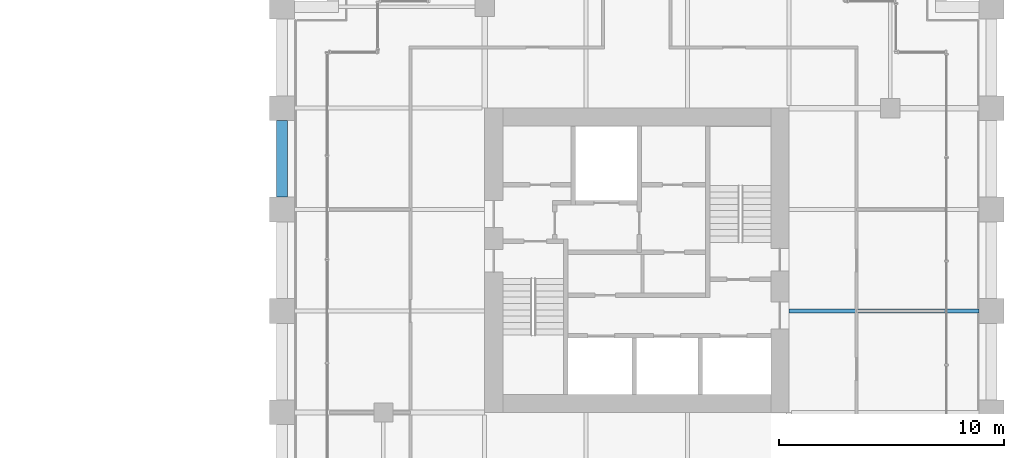
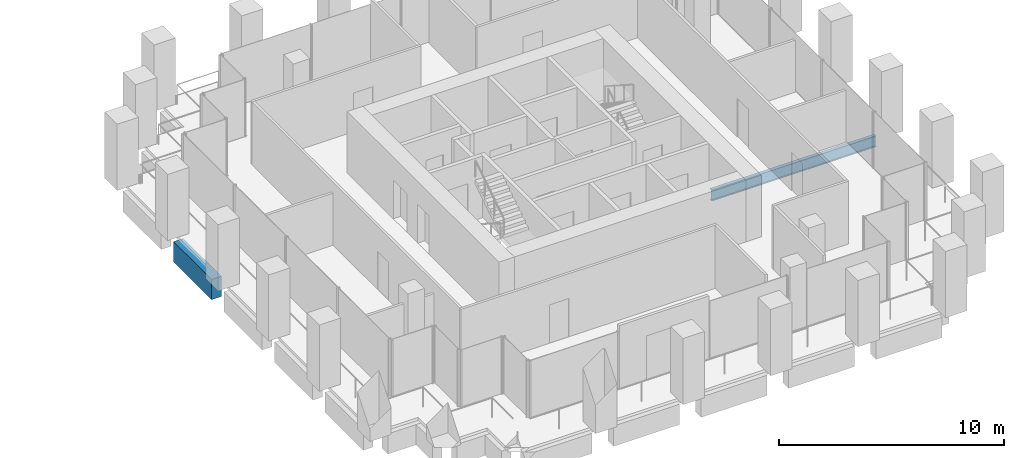
# One storey, part 39 of 56: 2 beams.
"""IFC4 building model written with IfcOpenShell, lengths in metres."""

from ifc_helpers import new_model, si_unit, direction, frame, origin, origin_2d, place, context, subcontext, project, spatial, rectangle, i_section, extrude, material, material_profile, profile_set, type_object, element, save


model = new_model("IFC4")

# Units and contexts
model_context = context("Model", 3, precision=1e-05, world=origin(), true_north=direction((0.0, 1.0)))
body_context = subcontext(model_context, "Body", "Model", "MODEL_VIEW")
ifc_project = project(units=[si_unit("LENGTHUNIT", "METRE"), si_unit("AREAUNIT", "SQUARE_METRE"), si_unit("VOLUMEUNIT", "CUBIC_METRE"), si_unit("PLANEANGLEUNIT", "RADIAN"), si_unit("MASSUNIT", "GRAM", prefix="KILO")], contexts=[model_context])

# Site, building, storey
site_placement = place(None, origin())
site = spatial("IfcSite", under=ifc_project, at=site_placement, CompositionType="ELEMENT")
building_placement = place(site_placement, origin())
building = spatial("IfcBuilding", under=site, at=building_placement, Name="Altepetl Exchange Towers", CompositionType="ELEMENT")
storey_placement = place(building_placement, frame((0.0, 0.0, 79.800048828125)))
storey = spatial("IfcBuildingStorey", under=building, at=storey_placement, Name="L19", CompositionType="ELEMENT", Elevation=79.800048828125)

# Beams
ifc_material_1 = material(Name="Steel S355", Category="steel")
ifc_material_profile_1 = material_profile(ifc_material_1, i_section(OverallWidth=0.177978515625, OverallDepth=0.59912109375, WebThickness=0.010009765625, FlangeThickness=0.0126953125, at=origin_2d()), Name="W24X55")
ifc_profile_set_1 = profile_set([ifc_material_profile_1], Name="Steel S355")
beam_type_1 = type_object("IfcBeamType", Name="Floor beam W24X55", PredefinedType="BEAM", material=ifc_profile_set_1)
beam_1_placement = place(storey_placement, frame((117.0, 40.5, -0.449462890625), z_axis=(1.0, 0.0, 0.0), x_axis=(0.0, 1.0, 0.0)))
element("IfcBeam", 1, at=beam_1_placement, inside=storey, type_object=beam_type_1, Name="bm:B:L19:006", PredefinedType="BEAM", context=body_context, shape_type="SweptSolid", body=[
    extrude(i_section(OverallWidth=0.177978515625, OverallDepth=0.59912109375, WebThickness=0.010009765625, FlangeThickness=0.0126953125, at=origin_2d()), origin(), (0.0, 0.0, 1.0), 8.449951171875),
])
ifc_material_2 = material(Name="Concrete C50/60 precast with cantera rosa facing", Category="concrete")
ifc_material_profile_2 = material_profile(ifc_material_2, rectangle(XDim=0.5, YDim=1.10009765625, at=origin_2d()), Name="500 x 1100")
ifc_profile_set_2 = profile_set([ifc_material_profile_2], Name="Concrete C50/60 precast with cantera rosa facing")
beam_type_2 = type_object("IfcBeamType", Name="Spandrel beam 500x1100 cantera rosa", PredefinedType="SPANDREL", material=ifc_profile_set_2)
beam_2_placement = place(storey_placement, frame((94.5, 48.949951171875, -0.699951171875), z_axis=(0.0, -1.0, 0.0), x_axis=(1.0, 0.0, 0.0)))
element("IfcBeam", 2, at=beam_2_placement, inside=storey, type_object=beam_type_2, Name="sp:B:L19:028", PredefinedType="SPANDREL", context=body_context, shape_type="SweptSolid", body=[
    extrude(rectangle(XDim=0.5, YDim=1.10009765625, at=origin_2d()), origin(), (0.0, 0.0, 1.0), 3.39990234375),
])

save(model, "model.ifc")
